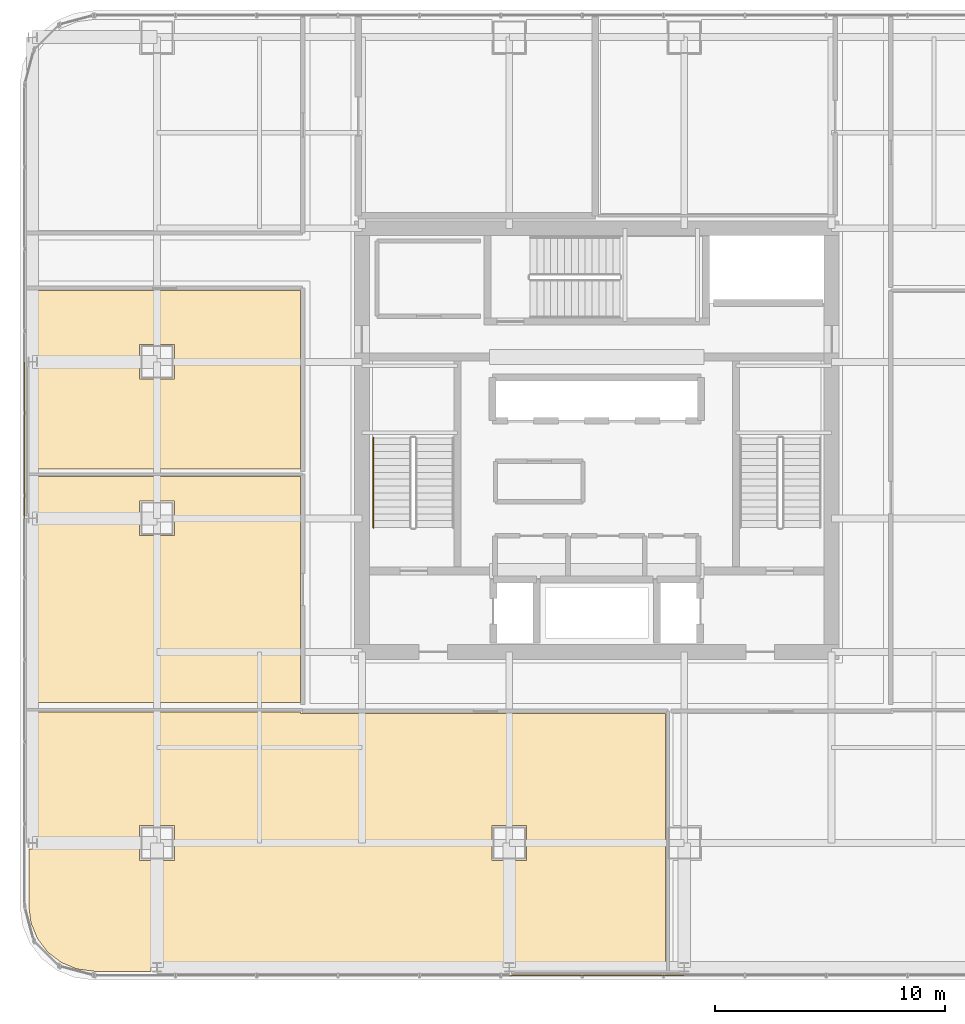
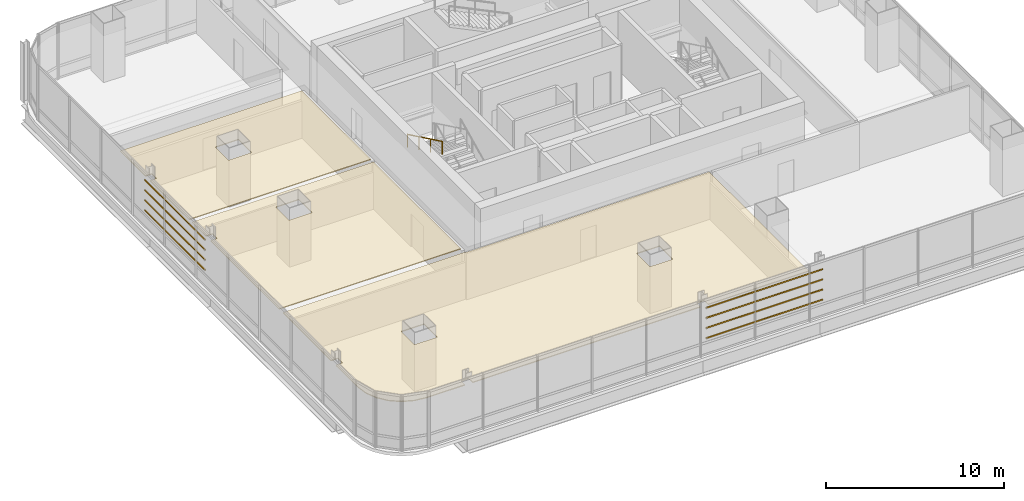
# One storey, part 32 of 36: 8 shading devices, 3 coverings, 1 railing.
"""IFC4 building model written with IfcOpenShell, lengths in metres."""

from ifc_helpers import new_model, si_unit, direction, frame, origin, origin_2d, place, context, subcontext, project, spatial, polyline, hollow_rectangle, circle, outline, extrude, material, layer, layer_set, material_profile, profile_set, type_object, element, save


model = new_model("IFC4")

# Units and contexts
model_context = context("Model", 3, precision=1e-05, world=origin(), true_north=direction((0.0, 1.0)))
body_context = subcontext(model_context, "Body", "Model", "MODEL_VIEW")
ifc_project = project(units=[si_unit("LENGTHUNIT", "METRE"), si_unit("AREAUNIT", "SQUARE_METRE"), si_unit("VOLUMEUNIT", "CUBIC_METRE"), si_unit("PLANEANGLEUNIT", "RADIAN"), si_unit("MASSUNIT", "GRAM", prefix="KILO")], contexts=[model_context])

# Site, building, storey
site_placement = place(None, origin())
site = spatial("IfcSite", under=ifc_project, at=site_placement, CompositionType="ELEMENT")
building_placement = place(site_placement, origin())
building = spatial("IfcBuilding", under=site, at=building_placement, Name="Punatoya Terracotta Tower", CompositionType="ELEMENT")
storey_placement = place(building_placement, frame((0.0, 0.0, 176.25)))
storey = spatial("IfcBuildingStorey", under=building, at=storey_placement, Name="L41", CompositionType="ELEMENT", Elevation=176.25)

# Coverings
ifc_material_1 = material(Name="Acoustic Mineral Fibre Ceiling")
ifc_layer = layer(ifc_material_1, 0.06005859375)
ifc_layer_set = layer_set([ifc_layer], Name="Acoustic Mineral Fibre Ceiling")
covering_type = type_object("IfcCoveringType", Name="COV-CEIL-60", PredefinedType="CEILING", material=ifc_layer_set)
covering_1_placement = place(storey_placement, frame((0.0, 0.0, 3.219970703125)))
element("IfcCovering", 1, at=covering_1_placement, inside=storey, type_object=covering_type, Name="L41 Staff Wellness Studio Acoustic Ceiling", PredefinedType="CEILING", context=body_context, shape_type="SweptSolid", body=[
    extrude(outline(polyline([(-12.8701171875, -11.8701171875), (-12.8701171875, -11.81005859375), (-24.669921875, -11.81005859375), (-24.669921875, -17.237548828125), (-24.24560546875, -17.237548828125), (-24.24560546875, -17.762451171875), (-24.669921875, -17.762451171875), (-24.669921875, -20.22509765625), (-24.57080078125, -20.97900390625), (-24.289306640625, -21.658203125), (-23.841796875, -22.24169921875), (-23.25830078125, -22.689453125), (-22.5791015625, -22.970703125), (-21.8251953125, -23.070068359375), (-19.3544921875, -23.070068359375), (-19.3544921875, -22.637451171875), (-18.845458984375, -22.637451171875), (-18.845458984375, -23.070068359375), (-4.054443359375, -23.070068359375), (-4.054443359375, -22.637451171875), (-3.54541015625, -22.637451171875), (-3.54541015625, -23.070068359375), (2.99609375, -23.070068359375), (2.99609375, -11.8701171875), (-12.8701171875, -11.8701171875)]), holes=[polyline([(-4.550048828125, -16.75), (-3.050048828125, -16.75), (-3.050048828125, -18.25), (-4.550048828125, -18.25), (-4.550048828125, -16.75)]), polyline([(-19.85009765625, -18.25), (-19.85009765625, -16.75), (-18.35009765625, -16.75), (-18.35009765625, -18.25), (-19.85009765625, -18.25)])]), origin(), (0.0, 0.0, 1.0), 0.06005859375),
])
covering_2_placement = place(storey_placement, frame((0.0, 0.0, 3.219970703125)))
element("IfcCovering", 2, at=covering_2_placement, inside=storey, type_object=covering_type, Name="L41 Open-Plan Cultural History Classroom Acoustic Ceiling", PredefinedType="CEILING", context=body_context, shape_type="SweptSolid", body=[
    extrude(outline(polyline([(-24.669921875, -3.66259765625), (-24.669921875, -11.389892578125), (-12.8701171875, -11.389892578125), (-12.8701171875, -1.5791015625), (-24.669921875, -1.5791015625), (-24.669921875, -3.137451171875), (-24.24560546875, -3.137451171875), (-24.24560546875, -3.66259765625), (-24.669921875, -3.66259765625)]), holes=[polyline([(-18.35009765625, -4.14990234375), (-19.85009765625, -4.14990234375), (-19.85009765625, -2.64990234375), (-18.35009765625, -2.64990234375), (-18.35009765625, -4.14990234375)])]), origin(), (0.0, 0.0, 1.0), 0.06005859375),
])
covering_3_placement = place(storey_placement, frame((0.0, 0.0, 3.219970703125)))
element("IfcCovering", 3, at=covering_3_placement, inside=storey, type_object=covering_type, Name="L41 Open-Plan Nutrition Tea Pantry Acoustic Ceiling", PredefinedType="CEILING", context=body_context, shape_type="SweptSolid", body=[
    extrude(outline(polyline([(-24.669921875, 3.137451171875), (-24.669921875, -1.259033203125), (-12.8701171875, -1.259033203125), (-12.8701171875, 6.5), (-24.669921875, 6.5), (-24.669921875, 3.66259765625), (-24.24560546875, 3.66259765625), (-24.24560546875, 3.137451171875), (-24.669921875, 3.137451171875)]), holes=[polyline([(-18.35009765625, 4.14990234375), (-18.35009765625, 2.64990234375), (-19.85009765625, 2.64990234375), (-19.85009765625, 4.14990234375), (-18.35009765625, 4.14990234375)])]), origin(), (0.0, 0.0, 1.0), 0.06005859375),
])

# Railing
ifc_material_2 = material(Name="Steel S355", Category="steel")
railing_type = type_object("IfcRailingType", Name="RLG-HND-900", PredefinedType="HANDRAIL", material=ifc_material_2)
railing_placement = place(storey_placement, frame((-9.699951171875, 0.10009765625, 2.169677734375)))
element("IfcRailing", 4, at=railing_placement, inside=storey, type_object=railing_type, Name="L41 ST-1 stair handrail 2", PredefinedType="HANDRAIL", context=body_context, shape_type="SweptSolid", body=[
    extrude(circle(Radius=0.02392578125, at=origin_2d()), frame((0.0, 0.0, 0.8759765625), z_axis=(0.0, -0.900773802044, 0.434288564841), x_axis=(1.0, 0.0, 0.0)), (0.0, 0.0, 1.0), 4.329833984375),
    extrude(circle(Radius=0.02099609375, at=origin_2d()), origin(), (0.0, 0.0, 1.0), 0.851806640625),
    extrude(circle(Radius=0.02099609375, at=origin_2d()), frame((0.0, -1.300048828125, 0.626708984375)), (0.0, 0.0, 1.0), 0.851806640625),
    extrude(circle(Radius=0.02099609375, at=origin_2d()), frame((0.0, -2.60009765625, 1.253662109375)), (0.0, 0.0, 1.0), 0.851806640625),
    extrude(circle(Radius=0.02099609375, at=origin_2d()), frame((0.0, -3.900146484375, 1.88037109375)), (0.0, 0.0, 1.0), 0.851806640625),
])

# Shading devices
ifc_material_3 = material(Name="Architectural Fired Terracotta", Category="masonry")
ifc_material_profile = material_profile(ifc_material_3, hollow_rectangle(XDim=0.06005859375, YDim=0.090087890625, WallThickness=0.013916015625, at=origin_2d()))
ifc_profile_set = profile_set([ifc_material_profile], Name="Architectural Fired Terracotta")
shading_device_type = type_object("IfcShadingDeviceType", Name="SHD-JALI-90", PredefinedType="JALOUSIE", material=ifc_profile_set)
for number, where, z_axis, x_axis, name in (
    (5, (-3.800048828125, -23.25244140625, 1.14990234375), (1.0, 0.0, 0.0), (0.0, 1.0, 0.0), "L41 Fired Terracotta Baguette Louvre BAG-L41-S-01"),
    (6, (-3.800048828125, -23.25244140625, 1.84326171875), (1.0, 0.0, 0.0), (0.0, 1.0, 0.0), "L41 Fired Terracotta Baguette Louvre BAG-L41-S-02"),
    (7, (-3.800048828125, -23.25244140625, 2.53662109375), (1.0, 0.0, 0.0), (0.0, 1.0, 0.0), "L41 Fired Terracotta Baguette Louvre BAG-L41-S-03"),
    (8, (-3.800048828125, -23.25244140625, 3.22998046875), (1.0, 0.0, 0.0), (0.0, 1.0, 0.0), "L41 Fired Terracotta Baguette Louvre BAG-L41-S-04"),
):
    element("IfcShadingDevice", number, at=place(storey_placement, frame(where, z_axis=z_axis, x_axis=x_axis)), inside=storey, type_object=shading_device_type, Name=name, PredefinedType="JALOUSIE", context=body_context, shape_type="SweptSolid", body=[
        extrude(hollow_rectangle(XDim=0.06005859375, YDim=0.090087890625, WallThickness=0.013916015625, at=origin_2d()), origin(), (0.0, 0.0, 1.0), 7.60009765625),
    ])
for number, where, z_axis, x_axis, name in (
    (9, (-24.8525390625, -3.39990234375, 1.14990234375), (0.0, 1.0, 0.0), (-1.0, 0.0, 0.0), "L41 Fired Terracotta Baguette Louvre BAG-L41-W-01"),
    (10, (-24.8525390625, -3.39990234375, 1.84326171875), (0.0, 1.0, 0.0), (-1.0, 0.0, 0.0), "L41 Fired Terracotta Baguette Louvre BAG-L41-W-02"),
    (11, (-24.8525390625, -3.39990234375, 2.53662109375), (0.0, 1.0, 0.0), (-1.0, 0.0, 0.0), "L41 Fired Terracotta Baguette Louvre BAG-L41-W-03"),
    (12, (-24.8525390625, -3.39990234375, 3.22998046875), (0.0, 1.0, 0.0), (-1.0, 0.0, 0.0), "L41 Fired Terracotta Baguette Louvre BAG-L41-W-04"),
):
    element("IfcShadingDevice", number, at=place(storey_placement, frame(where, z_axis=z_axis, x_axis=x_axis)), inside=storey, type_object=shading_device_type, Name=name, PredefinedType="JALOUSIE", context=body_context, shape_type="SweptSolid", body=[
        extrude(hollow_rectangle(XDim=0.06005859375, YDim=0.090087890625, WallThickness=0.013916015625, at=origin_2d()), origin(), (0.0, 0.0, 1.0), 6.7998046875),
    ])

save(model, "model.ifc")
